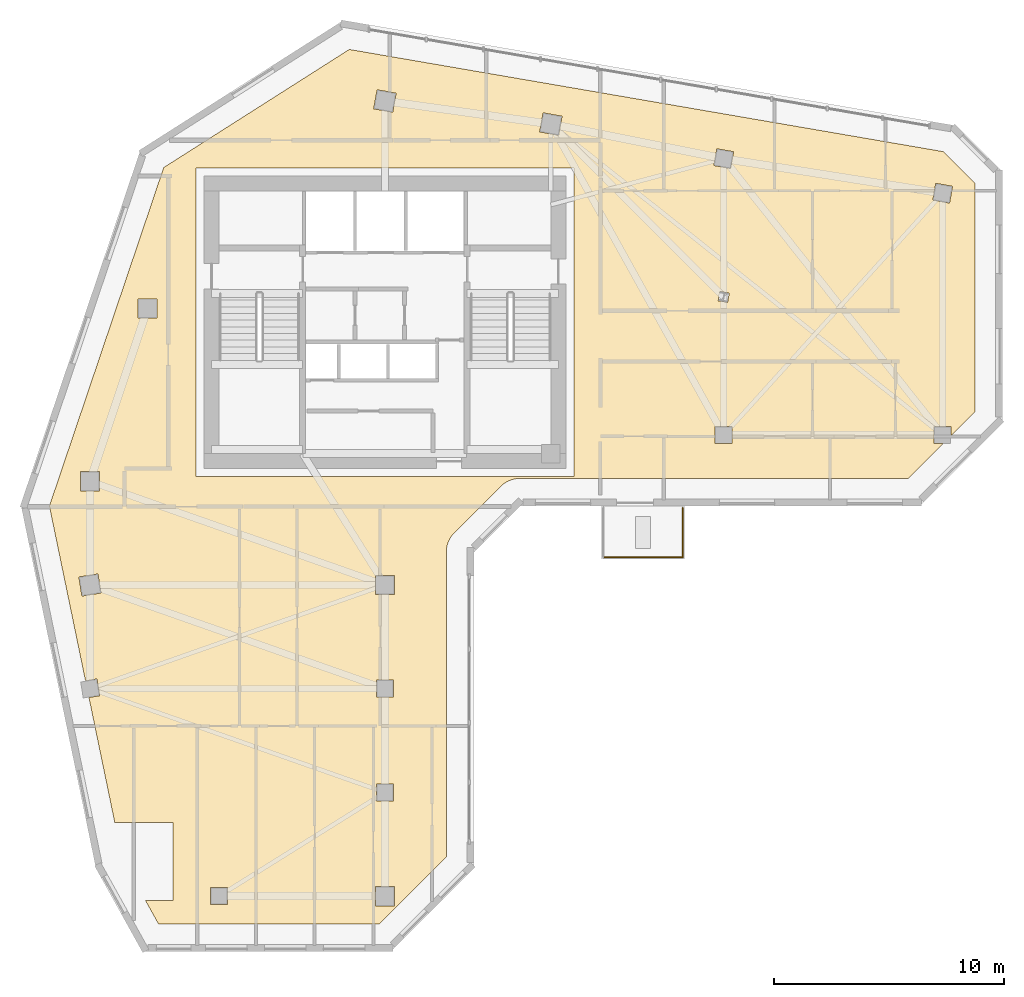
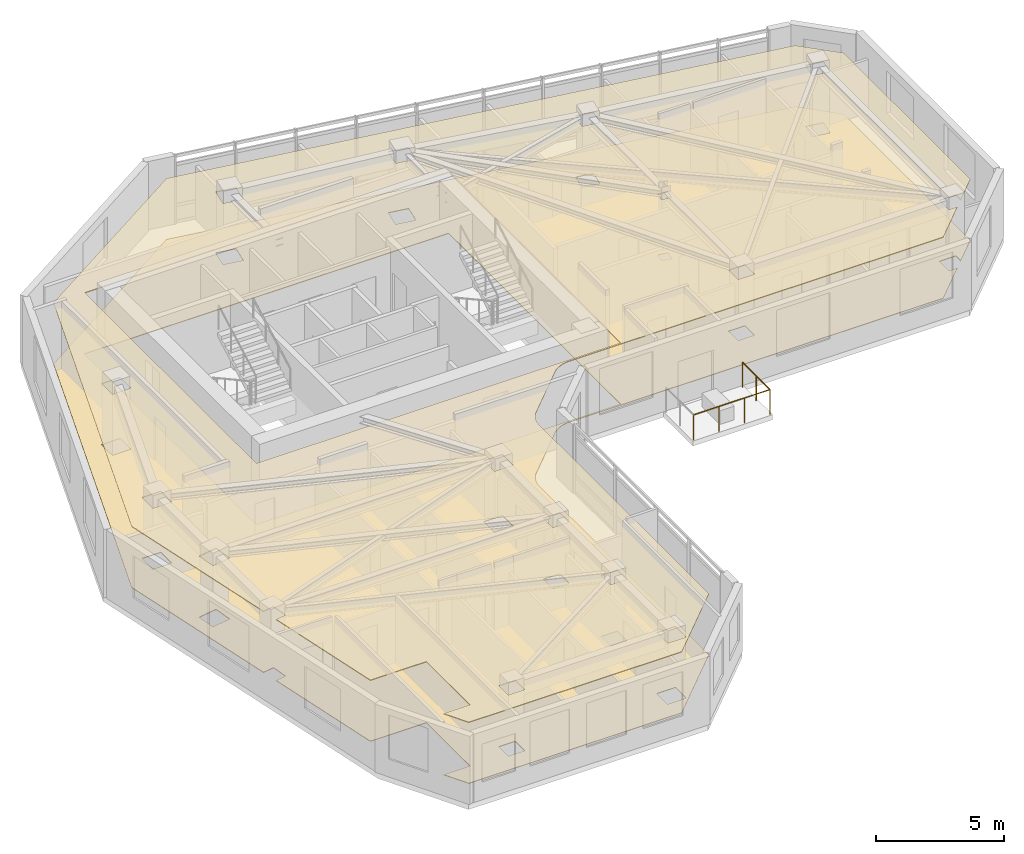
# One storey, part 10 of 11: 2 coverings, 2 railings.
"""IFC4 building model written with IfcOpenShell, lengths in metres."""

from ifc_helpers import new_model, si_unit, direction, frame, origin, origin_2d, place, context, subcontext, project, spatial, polyline, circle, outline, extrude, material, layer, layer_set, type_object, element, save


model = new_model("IFC4")

# Units and contexts
model_context = context("Model", 3, precision=1e-05, world=origin(), true_north=direction((0.0, 1.0)))
body_context = subcontext(model_context, "Body", "Model", "MODEL_VIEW")
ifc_project = project(units=[si_unit("LENGTHUNIT", "METRE"), si_unit("AREAUNIT", "SQUARE_METRE"), si_unit("VOLUMEUNIT", "CUBIC_METRE"), si_unit("PLANEANGLEUNIT", "RADIAN"), si_unit("MASSUNIT", "GRAM", prefix="KILO")], contexts=[model_context])

# Site, building, storey
site_placement = place(None, origin())
site = spatial("IfcSite", under=ifc_project, at=site_placement, CompositionType="ELEMENT")
building_placement = place(site_placement, origin())
building = spatial("IfcBuilding", under=site, at=building_placement, Name="Calvemar Wedge Station Tower", CompositionType="ELEMENT")
storey_placement = place(building_placement, frame((0.0, 0.0, 186.89990234375)))
storey = spatial("IfcBuildingStorey", under=building, at=storey_placement, Name="L46", CompositionType="ELEMENT", Elevation=186.89990234375)

# Coverings
ifc_material_1 = material(Name="Moisture-resistant gypsum ceiling")
ifc_layer_1 = layer(ifc_material_1, 0.0400390625)
ifc_layer_set_1 = layer_set([ifc_layer_1], Name="Moisture-resistant gypsum ceiling")
covering_type_1 = type_object("IfcCoveringType", Name="COV-CEIL-GYPSUM", PredefinedType="CEILING", material=ifc_layer_set_1)
covering_1_placement = place(storey_placement, frame((0.0, 0.0, 2.900146484375)))
element("IfcCovering", 1, at=covering_1_placement, inside=storey, type_object=covering_type_1, Name="Storey L46 Acoustic Suspended Ceiling", PredefinedType="CEILING", context=body_context, shape_type="SweptSolid", body=[
    extrude(outline(polyline([(26.8154296875, 30.7724609375), (28.8154296875, 32.7724609375), (28.902587890625, 32.8515625), (28.997314453125, 32.921875), (29.098388671875, 32.982421875), (29.204833984375, 33.03271484375), (29.315673828125, 33.072265625), (29.429931640625, 33.100830078125), (29.54638671875, 33.1181640625), (29.6640625, 33.1240234375), (46.5029296875, 33.1240234375), (48.0087890625, 34.6298828125), (47.6298828125, 34.6298828125), (47.6298828125, 35.3701171875), (48.3701171875, 35.3701171875), (48.3701171875, 34.9912109375), (49.39990234375, 36.02099609375), (49.39990234375, 45.927001953125), (48.02099609375, 47.305908203125), (22.25341796875, 51.73876953125), (14.201416015625, 46.614990234375), (9.240966796875, 31.92431640625), (10.806884765625, 24.34375), (11.306884765625, 24.423828125), (11.423828125, 23.693115234375), (10.956787109375, 23.618408203125), (12.076171875, 18.199951171875), (14.60009765625, 18.199951171875), (14.60009765625, 14.800048828125), (13.41455078125, 14.800048828125), (13.97021484375, 13.800048828125), (23.56689453125, 13.800048828125), (26.464111328125, 16.697021484375), (26.464111328125, 29.924072265625), (26.4697265625, 30.04150390625), (26.487060546875, 30.158203125), (26.515625, 30.272216796875), (26.555419921875, 30.38330078125), (26.605712890625, 30.48974609375), (26.666259765625, 30.5908203125), (26.736328125, 30.685302734375), (26.8154296875, 30.7724609375)]), holes=[polyline([(15.60009765625, 46.60009765625), (32.0, 46.60009765625), (32.0, 33.199951171875), (15.60009765625, 33.199951171875), (15.60009765625, 46.60009765625)]), polyline([(10.580078125, 32.580078125), (10.580078125, 33.419921875), (11.419921875, 33.419921875), (11.419921875, 32.580078125), (10.580078125, 32.580078125)]), polyline([(13.080078125, 40.919921875), (13.919921875, 40.919921875), (13.919921875, 40.080078125), (13.080078125, 40.080078125), (13.080078125, 40.919921875)]), polyline([(24.28759765625, 49.839111328125), (24.138916015625, 49.01220703125), (23.312255859375, 49.160888671875), (23.4609375, 49.98779296875), (24.28759765625, 49.839111328125)]), polyline([(31.339111328125, 48.01220703125), (30.51220703125, 48.160888671875), (30.660888671875, 48.98779296875), (31.48779296875, 48.839111328125), (31.339111328125, 48.01220703125)]), polyline([(38.0703125, 46.701416015625), (38.201416015625, 47.4296875), (38.9296875, 47.298583984375), (38.798583984375, 46.5703125), (38.0703125, 46.701416015625)]), polyline([(47.701416015625, 45.9296875), (48.4296875, 45.798583984375), (48.298583984375, 45.0703125), (47.5703125, 45.201416015625), (47.701416015625, 45.9296875)]), polyline([(38.8701171875, 35.3701171875), (38.8701171875, 34.6298828125), (38.1298828125, 34.6298828125), (38.1298828125, 35.3701171875), (38.8701171875, 35.3701171875)]), polyline([(38.259765625, 40.833984375), (38.332763671875, 41.239501953125), (38.740234375, 41.166015625), (38.667236328125, 40.760498046875), (38.259765625, 40.833984375)]), polyline([(11.348388671875, 28.981201171875), (11.481201171875, 28.151611328125), (10.651611328125, 28.018798828125), (10.518798828125, 28.848388671875), (11.348388671875, 28.981201171875)]), polyline([(24.219970703125, 28.080078125), (23.3798828125, 28.080078125), (23.3798828125, 28.919921875), (24.219970703125, 28.919921875), (24.219970703125, 28.080078125)]), polyline([(23.429931640625, 23.6298828125), (23.429931640625, 24.3701171875), (24.169921875, 24.3701171875), (24.169921875, 23.6298828125), (23.429931640625, 23.6298828125)]), polyline([(23.429931640625, 19.8701171875), (24.169921875, 19.8701171875), (24.169921875, 19.1298828125), (23.429931640625, 19.1298828125), (23.429931640625, 19.8701171875)]), polyline([(24.219970703125, 15.419921875), (24.219970703125, 14.580078125), (23.3798828125, 14.580078125), (23.3798828125, 15.419921875), (24.219970703125, 15.419921875)]), polyline([(16.969970703125, 14.6298828125), (16.22998046875, 14.6298828125), (16.22998046875, 15.3701171875), (16.969970703125, 15.3701171875), (16.969970703125, 14.6298828125)])]), origin(), (0.0, 0.0, 1.0), 0.0400390625),
])
ifc_material_2 = material(Name="Honed coastal granite stone tile", Category="masonry")
ifc_layer_2 = layer(ifc_material_2, 0.030029296875)
ifc_layer_set_2 = layer_set([ifc_layer_2], Name="Honed coastal granite stone tile")
covering_type_2 = type_object("IfcCoveringType", Name="COV-FLR-STONE", PredefinedType="FLOORING", material=ifc_layer_set_2)
covering_2_placement = place(storey_placement, origin())
element("IfcCovering", 2, at=covering_2_placement, inside=storey, type_object=covering_type_2, Name="Storey L46 Architectural Floor Finish", PredefinedType="FLOORING", context=body_context, shape_type="SweptSolid", body=[
    extrude(outline(polyline([(26.8154296875, 30.7724609375), (28.8154296875, 32.7724609375), (28.902587890625, 32.8515625), (28.997314453125, 32.921875), (29.098388671875, 32.982421875), (29.204833984375, 33.03271484375), (29.315673828125, 33.072265625), (29.429931640625, 33.100830078125), (29.54638671875, 33.1181640625), (29.6640625, 33.1240234375), (46.5029296875, 33.1240234375), (48.0087890625, 34.6298828125), (47.6298828125, 34.6298828125), (47.6298828125, 35.3701171875), (48.3701171875, 35.3701171875), (48.3701171875, 34.9912109375), (49.39990234375, 36.02099609375), (49.39990234375, 45.927001953125), (48.02099609375, 47.305908203125), (22.25341796875, 51.73876953125), (14.201416015625, 46.614990234375), (9.240966796875, 31.92431640625), (10.806884765625, 24.34375), (11.306884765625, 24.423828125), (11.423828125, 23.693115234375), (10.956787109375, 23.618408203125), (12.076171875, 18.199951171875), (14.60009765625, 18.199951171875), (14.60009765625, 14.800048828125), (13.41455078125, 14.800048828125), (13.97021484375, 13.800048828125), (23.56689453125, 13.800048828125), (26.464111328125, 16.697021484375), (26.464111328125, 29.924072265625), (26.4697265625, 30.04150390625), (26.487060546875, 30.158203125), (26.515625, 30.272216796875), (26.555419921875, 30.38330078125), (26.605712890625, 30.48974609375), (26.666259765625, 30.5908203125), (26.736328125, 30.685302734375), (26.8154296875, 30.7724609375)]), holes=[polyline([(15.60009765625, 46.60009765625), (32.0, 46.60009765625), (32.0, 33.199951171875), (15.60009765625, 33.199951171875), (15.60009765625, 46.60009765625)]), polyline([(10.580078125, 32.580078125), (10.580078125, 33.419921875), (11.419921875, 33.419921875), (11.419921875, 32.580078125), (10.580078125, 32.580078125)]), polyline([(13.080078125, 40.919921875), (13.919921875, 40.919921875), (13.919921875, 40.080078125), (13.080078125, 40.080078125), (13.080078125, 40.919921875)]), polyline([(24.28759765625, 49.839111328125), (24.138916015625, 49.01220703125), (23.312255859375, 49.160888671875), (23.4609375, 49.98779296875), (24.28759765625, 49.839111328125)]), polyline([(31.339111328125, 48.01220703125), (30.51220703125, 48.160888671875), (30.660888671875, 48.98779296875), (31.48779296875, 48.839111328125), (31.339111328125, 48.01220703125)]), polyline([(38.0703125, 46.701416015625), (38.201416015625, 47.4296875), (38.9296875, 47.298583984375), (38.798583984375, 46.5703125), (38.0703125, 46.701416015625)]), polyline([(47.701416015625, 45.9296875), (48.4296875, 45.798583984375), (48.298583984375, 45.0703125), (47.5703125, 45.201416015625), (47.701416015625, 45.9296875)]), polyline([(38.8701171875, 35.3701171875), (38.8701171875, 34.6298828125), (38.1298828125, 34.6298828125), (38.1298828125, 35.3701171875), (38.8701171875, 35.3701171875)]), polyline([(38.259765625, 40.833984375), (38.332763671875, 41.239501953125), (38.740234375, 41.166015625), (38.667236328125, 40.760498046875), (38.259765625, 40.833984375)]), polyline([(11.348388671875, 28.981201171875), (11.481201171875, 28.151611328125), (10.651611328125, 28.018798828125), (10.518798828125, 28.848388671875), (11.348388671875, 28.981201171875)]), polyline([(24.219970703125, 28.080078125), (23.3798828125, 28.080078125), (23.3798828125, 28.919921875), (24.219970703125, 28.919921875), (24.219970703125, 28.080078125)]), polyline([(23.429931640625, 23.6298828125), (23.429931640625, 24.3701171875), (24.169921875, 24.3701171875), (24.169921875, 23.6298828125), (23.429931640625, 23.6298828125)]), polyline([(23.429931640625, 19.8701171875), (24.169921875, 19.8701171875), (24.169921875, 19.1298828125), (23.429931640625, 19.1298828125), (23.429931640625, 19.8701171875)]), polyline([(24.219970703125, 15.419921875), (24.219970703125, 14.580078125), (23.3798828125, 14.580078125), (23.3798828125, 15.419921875), (24.219970703125, 15.419921875)]), polyline([(16.969970703125, 14.6298828125), (16.22998046875, 14.6298828125), (16.22998046875, 15.3701171875), (16.969970703125, 15.3701171875), (16.969970703125, 14.6298828125)])]), origin(), (0.0, 0.0, 1.0), 0.030029296875),
])

# Railings
ifc_material_3 = material(Name="Stainless steel AISI 316L", Category="steel")
railing_type = type_object("IfcRailingType", Name="GRD-TERR-1200", PredefinedType="GUARDRAIL", material=ifc_material_3)
railing_1_placement = place(storey_placement, frame((36.719970703125, 31.843994140625, 0.0)))
element("IfcRailing", 3, at=railing_1_placement, inside=storey, type_object=railing_type, Name="Storey L46 Spiral Terrace Guard 2", PredefinedType="GUARDRAIL", context=body_context, shape_type="SweptSolid", body=[
    extrude(circle(Radius=0.02392578125, at=origin_2d()), frame((0.0, 0.0, 1.17578125), z_axis=(0.0, -1.0, 0.0), x_axis=(1.0, 0.0, 0.0)), (0.0, 0.0, 1.0), 2.139892578125),
    extrude(circle(Radius=0.02099609375, at=origin_2d()), origin(), (0.0, 0.0, 1.0), 1.15185546875),
    extrude(circle(Radius=0.02099609375, at=origin_2d()), frame((0.0, -1.06982421875, 0.0)), (0.0, 0.0, 1.0), 1.15185546875),
    extrude(circle(Radius=0.02099609375, at=origin_2d()), frame((0.0, -2.139892578125, 0.0)), (0.0, 0.0, 1.0), 1.15185546875),
])
railing_2_placement = place(storey_placement, frame((36.719970703125, 29.7041015625, 0.0)))
element("IfcRailing", 4, at=railing_2_placement, inside=storey, type_object=railing_type, Name="Storey L46 Spiral Terrace Guard 3", PredefinedType="GUARDRAIL", context=body_context, shape_type="SweptSolid", body=[
    extrude(circle(Radius=0.02392578125, at=origin_2d()), frame((0.0, 0.0, 1.17578125), z_axis=(-1.0, 0.0, 0.0), x_axis=(0.0, -1.0, 0.0)), (0.0, 0.0, 1.0), 3.43994140625),
    extrude(circle(Radius=0.02099609375, at=origin_2d()), origin(), (0.0, 0.0, 1.0), 1.15185546875),
    extrude(circle(Radius=0.02099609375, at=origin_2d()), frame((-1.146728515625, 0.0, 0.0)), (0.0, 0.0, 1.0), 1.15185546875),
    extrude(circle(Radius=0.02099609375, at=origin_2d()), frame((-2.293212890625, 0.0, 0.0)), (0.0, 0.0, 1.0), 1.15185546875),
    extrude(circle(Radius=0.02099609375, at=origin_2d()), frame((-3.43994140625, 0.0, 0.0)), (0.0, 0.0, 1.0), 1.15185546875),
])

save(model, "model.ifc")
